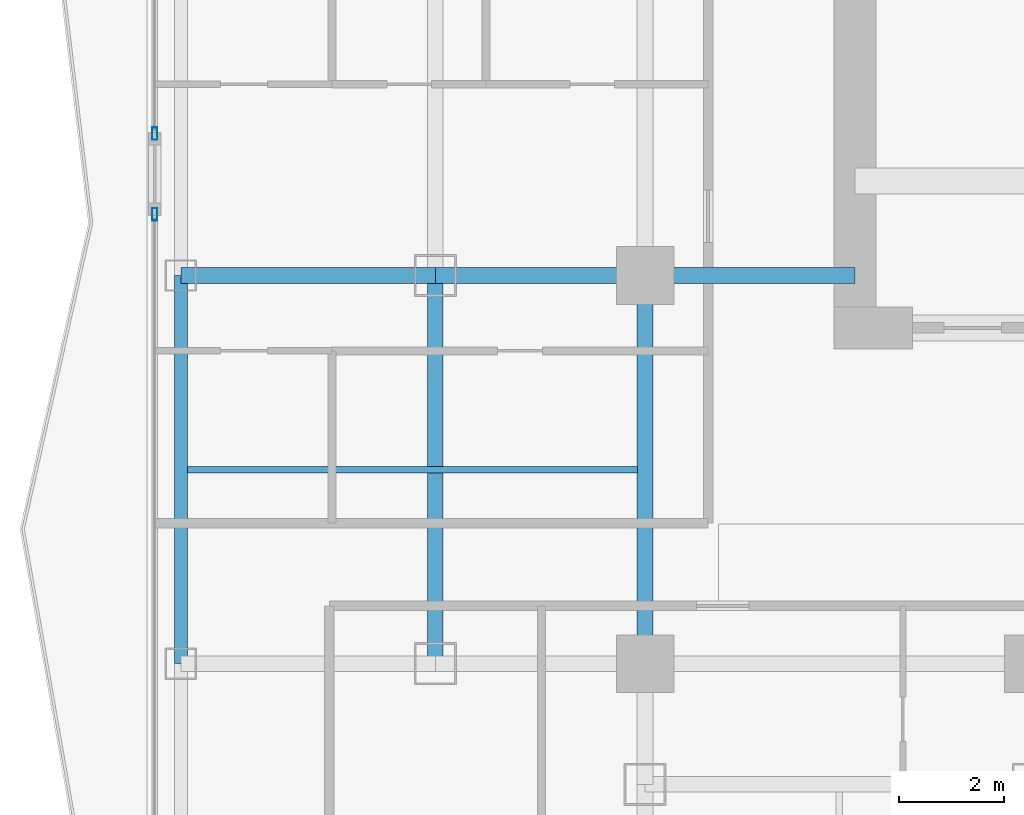
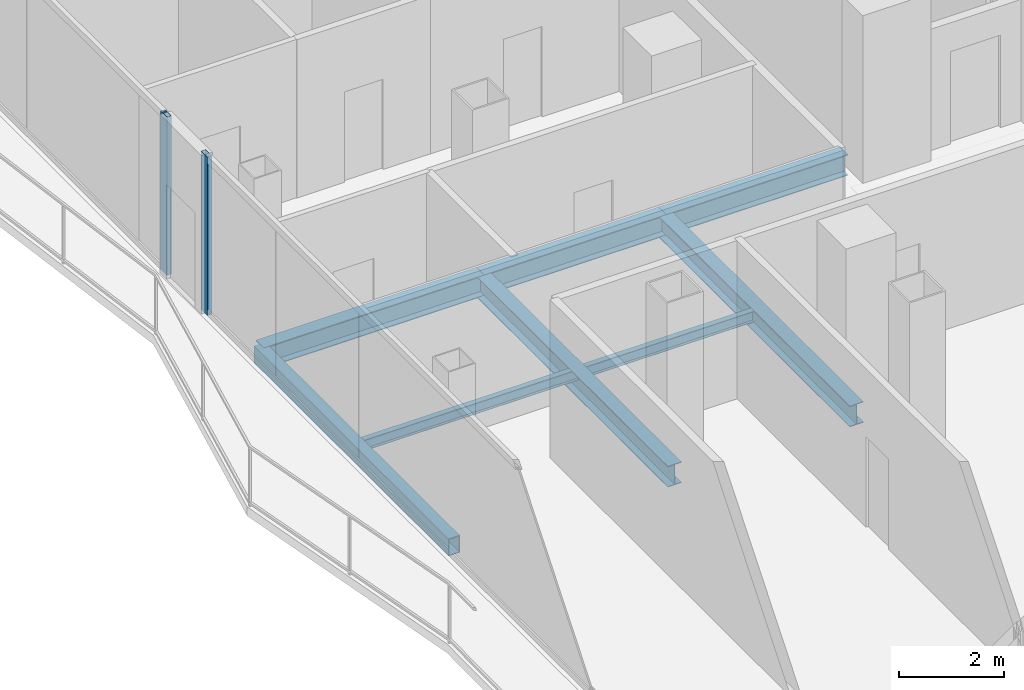
# One storey, part 5 of 23: 7 beams, 2 members, 2 elements without a shape of their own.
"""IFC4 building model written with IfcOpenShell, lengths in metres."""

from ifc_helpers import new_model, si_unit, direction, frame, origin, origin_2d, place, context, subcontext, project, spatial, hollow_rectangle, i_section, extrude, material, layer, layer_set, material_profile, profile_set, type_object, element, aggregate, save


model = new_model("IFC4")

# Units and contexts
model_context = context("Model", 3, precision=1e-05, world=origin(), true_north=direction((0.0, 1.0)))
body_context = subcontext(model_context, "Body", "Model", "MODEL_VIEW")
ifc_project = project(units=[si_unit("LENGTHUNIT", "METRE"), si_unit("AREAUNIT", "SQUARE_METRE"), si_unit("VOLUMEUNIT", "CUBIC_METRE"), si_unit("PLANEANGLEUNIT", "RADIAN"), si_unit("MASSUNIT", "GRAM", prefix="KILO")], contexts=[model_context])

# Site, building, storey
site_placement = place(None, origin())
site = spatial("IfcSite", under=ifc_project, at=site_placement, CompositionType="ELEMENT")
building_placement = place(site_placement, origin())
building = spatial("IfcBuilding", under=site, at=building_placement, Name="Khorvyn Point Tower", CompositionType="ELEMENT")
storey_placement = place(building_placement, frame((0.0, 0.0, 199.199951171875)))
storey = spatial("IfcBuildingStorey", under=building, at=storey_placement, Name="L49", CompositionType="ELEMENT", Elevation=199.199951171875)

# Curtain wall, member
ifc_material_1 = material(Name="Anodised aluminium 6063-T6 and laminated Low-E glass", Category="aluminium")
ifc_layer = layer(ifc_material_1, 0.18994140625)
ifc_layer_set = layer_set([ifc_layer], Name="Stick-Built Acoustic Curtain Wall CW-SYS-03")
curtain_wall_type = type_object("IfcCurtainWallType", Name="Stick-Built Acoustic Curtain Wall CW-SYS-03", PredefinedType="NOTDEFINED", material=ifc_layer_set)
curtain_wall_1_placement = place(storey_placement, origin())
curtain_wall_1 = element("IfcCurtainWall", 1, at=curtain_wall_1_placement, inside=storey, type_object=curtain_wall_type, Name="Curtain Wall", PredefinedType="NOTDEFINED")
ifc_material_2 = material(Name="Anodised aluminium 6063-T6", Category="aluminium")
ifc_material_profile_1 = material_profile(ifc_material_2, hollow_rectangle(XDim=0.10009765625, YDim=0.239990234375, WallThickness=0.0048828125, at=origin_2d()))
ifc_profile_set_1 = profile_set([ifc_material_profile_1], Name="Anodised aluminium 6063-T6 ALU-MUL-100x240")
member_type = type_object("IfcMemberType", Name="Anodised Aluminium 6063-T6 Mullion ALU-MUL-100x240", PredefinedType="MULLION", material=ifc_profile_set_1)
member_1_placement = place(storey_placement, frame((-24.14990234375, -6.23388671875, 0.0), z_axis=(0.0, 0.0, 1.0), x_axis=(-1.0, 0.0, 0.0)))
member_1 = element("IfcMember", 2, at=member_1_placement, type_object=member_type, Name="Transom", PredefinedType="MULLION", context=body_context, shape_type="SweptSolid", body=[
    extrude(hollow_rectangle(XDim=0.10009765625, YDim=0.239990234375, WallThickness=0.0048828125, at=origin_2d()), origin(), (0.0, 0.0, 1.0), 3.679931640625),
])
aggregate(curtain_wall_1, [member_1])

curtain_wall_2_placement = place(storey_placement, origin())
curtain_wall_2 = element("IfcCurtainWall", 3, at=curtain_wall_2_placement, inside=storey, type_object=curtain_wall_type, Name="Curtain Wall", PredefinedType="NOTDEFINED")
member_2_placement = place(storey_placement, frame((-24.14990234375, -4.694091796875, 0.0), z_axis=(0.0, 0.0, 1.0), x_axis=(-1.0, 0.0, 0.0)))
member_2 = element("IfcMember", 4, at=member_2_placement, type_object=member_type, Name="Transom", PredefinedType="MULLION", context=body_context, shape_type="SweptSolid", body=[
    extrude(hollow_rectangle(XDim=0.10009765625, YDim=0.239990234375, WallThickness=0.0048828125, at=origin_2d()), origin(), (0.0, 0.0, 1.0), 3.679931640625),
])
aggregate(curtain_wall_2, [member_2])

# Beams
ifc_material_3 = material(Name="Steel S355", Category="steel")
ifc_material_profile_2 = material_profile(ifc_material_3, i_section(OverallWidth=0.125, OverallDepth=0.25, WebThickness=0.006103515625, FlangeThickness=0.009033203125, at=origin_2d()))
ifc_profile_set_2 = profile_set([ifc_material_profile_2], Name="Steel S355 H250x125x6x9")
beam_type_1 = type_object("IfcBeamType", Name="Steel S355 Joist H250x125x6x9", PredefinedType="JOIST", material=ifc_profile_set_2)
beam_1_placement = place(storey_placement, frame((-23.52490234375, -11.10009765625, -0.344970703125), z_axis=(1.0, 0.0, 0.0), x_axis=(0.0, 1.0, 0.0)))
element("IfcBeam", 5, at=beam_1_placement, inside=storey, type_object=beam_type_1, Name="Beam", PredefinedType="JOIST", context=body_context, shape_type="SweptSolid", body=[
    extrude(i_section(OverallWidth=0.125, OverallDepth=0.25, WebThickness=0.006103515625, FlangeThickness=0.009033203125, at=origin_2d()), origin(), (0.0, 0.0, 1.0), 8.574951171875),
])
ifc_material_profile_3 = material_profile(ifc_material_3, i_section(OverallWidth=0.300048828125, OverallDepth=0.488037109375, WebThickness=0.010986328125, FlangeThickness=0.01806640625, at=origin_2d()))
ifc_profile_set_3 = profile_set([ifc_material_profile_3], Name="Steel S355 H488x300x11x18")
beam_type_2 = type_object("IfcBeamType", Name="Steel S355 Spandrel H488x300x11x18", PredefinedType="SPANDREL", material=ifc_profile_set_3)
beam_2_placement = place(storey_placement, frame((-23.64990234375, -7.39990234375, -0.4638671875), z_axis=(1.0, 0.0, 0.0), x_axis=(0.0, 1.0, 0.0)))
element("IfcBeam", 6, at=beam_2_placement, inside=storey, type_object=beam_type_2, Name="Beam", PredefinedType="SPANDREL", context=body_context, shape_type="SweptSolid", body=[
    extrude(i_section(OverallWidth=0.300048828125, OverallDepth=0.488037109375, WebThickness=0.010986328125, FlangeThickness=0.01806640625, at=origin_2d()), origin(), (0.0, 0.0, 1.0), 4.849853515625),
])
for number, where, z_axis, x_axis, name in (
    (7, (-18.800048828125, -7.39990234375, -0.4638671875), (1.0, 0.0, 0.0), (0.0, 1.0, 0.0), "Beam"),
    (8, (-14.800048828125, -7.39990234375, -0.4638671875), (1.0, 0.0, 0.0), (0.0, 1.0, 0.0), "Beam"),
):
    element("IfcBeam", number, at=place(storey_placement, frame(where, z_axis=z_axis, x_axis=x_axis)), inside=storey, type_object=beam_type_2, Name=name, PredefinedType="SPANDREL", context=body_context, shape_type="SweptSolid", body=[
        extrude(i_section(OverallWidth=0.300048828125, OverallDepth=0.488037109375, WebThickness=0.010986328125, FlangeThickness=0.01806640625, at=origin_2d()), origin(), (0.0, 0.0, 1.0), 4.0),
    ])
for number, where, z_axis, x_axis, name in (
    (9, (-14.800048828125, -14.800048828125, -0.4638671875), (0.0, 1.0, 0.0), (-1.0, 0.0, 0.0), "Beam"),
    (10, (-18.800048828125, -14.800048828125, -0.4638671875), (0.0, 1.0, 0.0), (-1.0, 0.0, 0.0), "Beam"),
):
    element("IfcBeam", number, at=place(storey_placement, frame(where, z_axis=z_axis, x_axis=x_axis)), inside=storey, type_object=beam_type_2, Name=name, PredefinedType="SPANDREL", context=body_context, shape_type="SweptSolid", body=[
        extrude(i_section(OverallWidth=0.300048828125, OverallDepth=0.488037109375, WebThickness=0.010986328125, FlangeThickness=0.01806640625, at=origin_2d()), origin(), (0.0, 0.0, 1.0), 7.400146484375),
    ])
ifc_material_profile_4 = material_profile(ifc_material_3, hollow_rectangle(XDim=0.25, YDim=0.39990234375, WallThickness=0.01611328125, at=origin_2d()))
ifc_profile_set_4 = profile_set([ifc_material_profile_4], Name="Steel S355 RHS400x250x16")
beam_type_3 = type_object("IfcBeamType", Name="Steel S355 Spandrel RHS400x250x16", PredefinedType="SPANDREL", material=ifc_profile_set_4)
beam_3_placement = place(storey_placement, frame((-23.64990234375, -14.800048828125, -0.419921875), z_axis=(0.0, 1.0, 0.0), x_axis=(-1.0, 0.0, 0.0)))
element("IfcBeam", 11, at=beam_3_placement, inside=storey, type_object=beam_type_3, Name="Beam", PredefinedType="SPANDREL", context=body_context, shape_type="SweptSolid", body=[
    extrude(hollow_rectangle(XDim=0.25, YDim=0.39990234375, WallThickness=0.01611328125, at=origin_2d()), origin(), (0.0, 0.0, 1.0), 7.400146484375),
])

save(model, "model.ifc")
